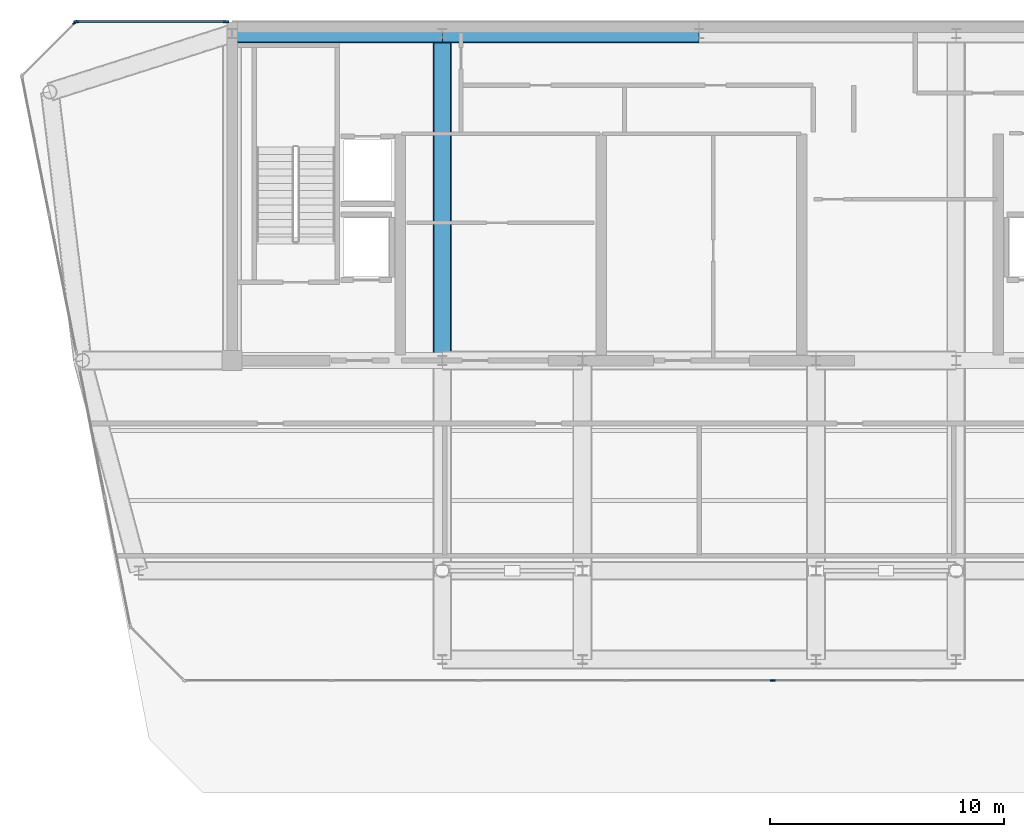
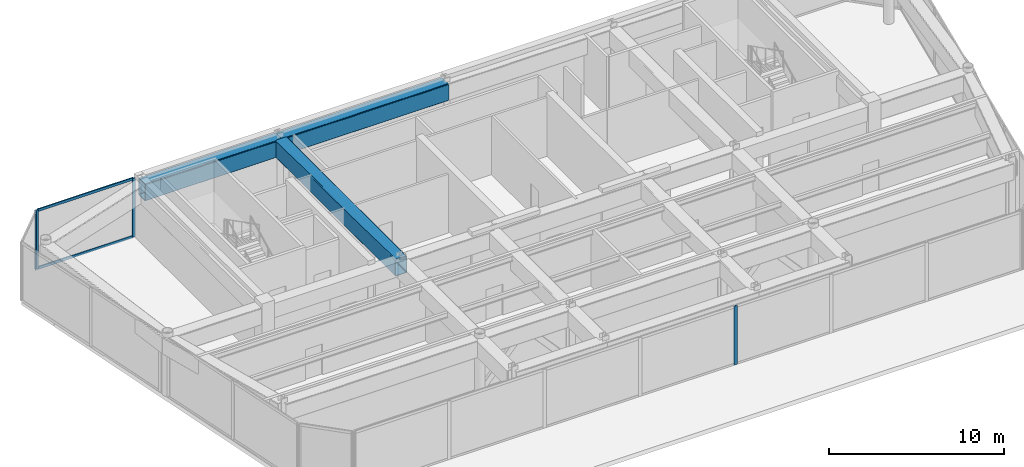
# One storey, part 4 of 12: 6 members, 3 beams, 3 elements without a shape of their own.
"""IFC4 building model written with IfcOpenShell, lengths in metres."""

import ifcopenshell
import ifcopenshell.guid

model = None  # the IFC model being written
_history = None  # IfcOwnerHistory: only IFC2X3 demands one
_inside = {}  # id of a spatial element -> (the spatial element, [elements in it])
_under = {}  # id of a project, library or spatial element -> (it, [spatial elements below it])
_declared = {}  # id of a project -> (the project, [libraries it declares])
_typed = {}  # id of a type object -> (the type object, [elements of that type])
_made_of = {}  # id of a material, layer set ... -> (it, [elements and type objects made of it])


def new_model(schema):
    """Start an empty IFC model of exactly this schema.

    Asked for "IFC4X3", IfcOpenShell would pick the latest addendum, in which some entities
    have other attributes; the version numbers below select the first issue.
    IFC2X3 requires an IfcOwnerHistory on every rooted entity: one is made here for all.
    """
    global model, _history
    if schema == "IFC4X3":
        model = ifcopenshell.file(schema_version=(4, 3, 0, 0))
    else:
        model = ifcopenshell.file(schema=schema)
    _inside.clear()
    _under.clear()
    _declared.clear()
    _typed.clear()
    _made_of.clear()
    _history = None
    if model.schema == "IFC2X3":
        org = make("IfcOrganization", Name="unknown")
        user = make(
            "IfcPersonAndOrganization",
            ThePerson=make("IfcPerson", FamilyName="unknown"),
            TheOrganization=org,
        )
        app = make(
            "IfcApplication",
            ApplicationDeveloper=org,
            Version="unknown",
            ApplicationFullName="unknown",
            ApplicationIdentifier="unknown",
        )
        _history = make(
            "IfcOwnerHistory",
            OwningUser=user,
            OwningApplication=app,
            ChangeAction="ADDED",
            CreationDate=0,
        )
    return model


def make(cls, **values):
    """One entity of the class cls with the attributes given. An attribute that is None is left unset."""
    return model.create_entity(
        cls, **{name: value for name, value in values.items() if value is not None}
    )


def rooted(cls, **values):
    """An entity with a GlobalId (a new one), such as an element, a storey or a relation."""
    return make(cls, GlobalId=ifcopenshell.guid.new(), OwnerHistory=_history, **values)


def si_unit(unit_type, name, prefix=None):
    """IfcSIUnit, for example si_unit("LENGTHUNIT", "METRE", prefix="MILLI")."""
    return make("IfcSIUnit", UnitType=unit_type, Prefix=prefix, Name=name)


def assignment(units):
    """IfcUnitAssignment: the units of a project."""
    return None if units is None else make("IfcUnitAssignment", Units=units)


def point(xyz):
    """IfcCartesianPoint."""
    return None if xyz is None else make("IfcCartesianPoint", Coordinates=xyz)


def direction(xyz):
    """IfcDirection."""
    return None if xyz is None else make("IfcDirection", DirectionRatios=xyz)


def frame(location, z_axis=None, x_axis=None):
    """IfcAxis2Placement3D, a coordinate frame: its origin and axes. An axis left out is left unset."""
    return make(
        "IfcAxis2Placement3D",
        Location=point(location),
        Axis=direction(z_axis),
        RefDirection=direction(x_axis),
    )


def frame_2d(location, x_axis=None):
    """IfcAxis2Placement2D, a coordinate frame in the plane: its origin and x axis."""
    return make(
        "IfcAxis2Placement2D", Location=point(location), RefDirection=direction(x_axis)
    )


def origin():
    """The frame at (0, 0, 0) with its axes left unset."""
    return frame((0.0, 0.0, 0.0))


def origin_2d():
    """The frame at (0, 0) in the plane with its x axis left unset."""
    return frame_2d((0.0, 0.0))


def place(relative_to, where):
    """IfcLocalPlacement: puts the frame where relative to a parent placement (None: the world)."""
    return make(
        "IfcLocalPlacement", PlacementRelTo=relative_to, RelativePlacement=where
    )


def context(
    kind, dimensions, precision=None, world=None, true_north=None, identifier=None
):
    """IfcGeometricRepresentationContext, for example the 3D "Model" context."""
    return make(
        "IfcGeometricRepresentationContext",
        ContextIdentifier=identifier,
        ContextType=kind,
        CoordinateSpaceDimension=dimensions,
        Precision=precision,
        WorldCoordinateSystem=world,
        TrueNorth=true_north,
    )


def subcontext(parent, identifier, kind, view, scale=None):
    """IfcGeometricRepresentationSubContext, for example "Body" below "Model"."""
    return make(
        "IfcGeometricRepresentationSubContext",
        ContextIdentifier=identifier,
        ContextType=kind,
        ParentContext=parent,
        TargetScale=scale,
        TargetView=view,
    )


def project(units=None, contexts=None):
    """IfcProject with its units and contexts."""
    return rooted(
        "IfcProject",
        Name="project",
        RepresentationContexts=contexts,
        UnitsInContext=assignment(units),
    )


def spatial(cls, under=None, at=None, **own):
    """A site, building, storey or space (cls), placed at a placement, below another one or the project."""
    s = rooted(cls, ObjectPlacement=at, **own)
    if under is not None:
        _under.setdefault(under.id(), (under, []))[1].append(s)
    return s


def profile(cls, at=None, kind="AREA", **sizes):
    """A parametric profile (cls). Its sizes go by their IFC names, for example OverallWidth=200.0."""
    return make(cls, ProfileType=kind, Position=at, **sizes)


def rectangle(**sizes):
    """IfcRectangleProfileDef."""
    return profile("IfcRectangleProfileDef", **sizes)


def hollow_rectangle(**sizes):
    """IfcRectangleHollowProfileDef."""
    return profile("IfcRectangleHollowProfileDef", **sizes)


def extrude(swept, where, along, depth):
    """IfcExtrudedAreaSolid: the profile swept, set in the frame where, extruded along a direction by depth."""
    return make(
        "IfcExtrudedAreaSolid",
        SweptArea=swept,
        Position=where,
        ExtrudedDirection=direction(along),
        Depth=depth,
    )


def shape(context_of_items, identifier, shape_type, items):
    """IfcShapeRepresentation: the items that make up one representation, for example the "Body"."""
    return make(
        "IfcShapeRepresentation",
        ContextOfItems=context_of_items,
        RepresentationIdentifier=identifier,
        RepresentationType=shape_type,
        Items=items,
    )


def source(mapping_origin, context_of_items, identifier, shape_type, items):
    """IfcRepresentationMap: a shape defined once, which mapped items show again and again."""
    return make(
        "IfcRepresentationMap",
        MappingOrigin=mapping_origin,
        MappedRepresentation=shape(context_of_items, identifier, shape_type, items),
    )


def transform(
    local_origin,
    x_axis=None,
    y_axis=None,
    z_axis=None,
    scale=None,
    scale2=None,
    scale3=None,
    uniform=True,
):
    """IfcCartesianTransformationOperator3D, or its non-uniform kind. x_axis, y_axis, z_axis: its Axis1, 2, 3."""
    if uniform:
        return make(
            "IfcCartesianTransformationOperator3D",
            Axis1=direction(x_axis),
            Axis2=direction(y_axis),
            LocalOrigin=point(local_origin),
            Scale=scale,
            Axis3=direction(z_axis),
        )
    return make(
        "IfcCartesianTransformationOperator3DnonUniform",
        Axis1=direction(x_axis),
        Axis2=direction(y_axis),
        LocalOrigin=point(local_origin),
        Scale=scale,
        Axis3=direction(z_axis),
        Scale2=scale2,
        Scale3=scale3,
    )


def mapped(mapping_source, mapping_target):
    """IfcMappedItem: shows the shape of a source again, moved by a transform."""
    return make(
        "IfcMappedItem", MappingSource=mapping_source, MappingTarget=mapping_target
    )


def material(Name=None, Category=None):
    """IfcMaterial."""
    return make("IfcMaterial", Name=Name, Category=Category)


def layer(
    of_material, thickness, ventilated=None, Name=None, Category=None, Priority=None
):
    """IfcMaterialLayer: one layer of a wall or slab, of a material (None: an air gap)."""
    return make(
        "IfcMaterialLayer",
        Material=of_material,
        LayerThickness=thickness,
        IsVentilated=ventilated,
        Name=Name,
        Category=Category,
        Priority=Priority,
    )


def layer_set(layers, Name=None):
    """IfcMaterialLayerSet."""
    return make("IfcMaterialLayerSet", MaterialLayers=layers, LayerSetName=Name)


def material_profile(
    of_material, cross_section, Name=None, Category=None, Priority=None
):
    """IfcMaterialProfile: a cross section and its material."""
    return make(
        "IfcMaterialProfile",
        Name=Name,
        Material=of_material,
        Profile=cross_section,
        Priority=Priority,
        Category=Category,
    )


def profile_set(profiles, Name=None, composite=None):
    """IfcMaterialProfileSet."""
    return make(
        "IfcMaterialProfileSet",
        Name=Name,
        MaterialProfiles=profiles,
        CompositeProfile=composite,
    )


def made_of(thing, what):
    """Note that an element or type object is made of a material, layer set ...; save() writes the relation."""
    if what is not None:
        _made_of.setdefault(what.id(), (what, []))[1].append(thing)
    return thing


def type_object(cls, material=None, **own):
    """A type object (cls), such as IfcWallType, which elements share."""
    return made_of(rooted(cls, **own), material)


def element(
    cls,
    number,
    at=None,
    inside=None,
    cuts=None,
    type_object=None,
    material=None,
    context=None,
    identifier="Body",
    shape_type=None,
    held_by="IfcProductDefinitionShape",
    body=None,
    shapes=None,
    **own,
):
    """One element of the class cls, such as IfcWall. Its Tag is "e" and its number.

    at: its placement. inside: the storey or other place that contains it. cuts: it is an
    opening in that element (IfcRelVoidsElement). A single representation is given by context,
    identifier, shape_type and body (its items); several are given by shapes. held_by: the class
    of the entity that holds the representations. save() writes the other relations.
    """
    e = rooted(cls, Tag="e%d" % number, ObjectPlacement=at, **own)
    if body is not None:
        shapes = [shape(context, identifier, shape_type, body)]
    if shapes is not None:
        e.Representation = make(held_by, Representations=shapes)
    if inside is not None:
        _inside.setdefault(inside.id(), (inside, []))[1].append(e)
    if cuts is not None:
        rooted(
            "IfcRelVoidsElement", RelatingBuildingElement=cuts, RelatedOpeningElement=e
        )
    if type_object is not None:
        _typed.setdefault(type_object.id(), (type_object, []))[1].append(e)
    return made_of(e, material)


def aggregate(whole, parts):
    """IfcRelAggregates: a whole, such as a stair, and the parts it consists of."""
    return rooted("IfcRelAggregates", RelatingObject=whole, RelatedObjects=parts)


def save(model, path):
    """Write the relations noted so far, then the file.

    IfcRelAggregates (storeys below a building ...), IfcRelContainedInSpatialStructure (elements
    in a storey), IfcRelDefinesByType, IfcRelAssociatesMaterial and IfcRelDeclares: one each for
    every whole, place, type object, material and project.
    """
    for whole, parts in _under.values():
        aggregate(whole, parts)
    for where, things in _inside.values():
        rooted(
            "IfcRelContainedInSpatialStructure",
            RelatedElements=things,
            RelatingStructure=where,
        )
    for kind, things in _typed.values():
        rooted("IfcRelDefinesByType", RelatedObjects=things, RelatingType=kind)
    for what, things in _made_of.values():
        rooted("IfcRelAssociatesMaterial", RelatedObjects=things, RelatingMaterial=what)
    for by, libraries in _declared.values():
        rooted("IfcRelDeclares", RelatingContext=by, RelatedDefinitions=libraries)
    model.write(path)


model = new_model("IFC4")

# Units and contexts
model_context = context("Model", 3, precision=1e-05, world=origin(), true_north=direction((0.0, 1.0)))
body_context = subcontext(model_context, "Body", "Model", "MODEL_VIEW")
ifc_project = project(units=[si_unit("LENGTHUNIT", "METRE"), si_unit("AREAUNIT", "SQUARE_METRE"), si_unit("VOLUMEUNIT", "CUBIC_METRE"), si_unit("PLANEANGLEUNIT", "RADIAN"), si_unit("MASSUNIT", "GRAM", prefix="KILO")], contexts=[model_context])

# Site, building, storey
site_placement = place(None, origin())
site = spatial("IfcSite", under=ifc_project, at=site_placement, CompositionType="ELEMENT")
building_placement = place(site_placement, origin())
building = spatial("IfcBuilding", under=site, at=building_placement, Name="Vaeldorn Concourse Tower", CompositionType="ELEMENT")
storey_placement = place(building_placement, frame((0.0, 0.0, 308.39990234375)))
storey = spatial("IfcBuildingStorey", under=building, at=storey_placement, Name="L79", CompositionType="ELEMENT", Elevation=308.39990234375)

# Beams
ifc_material_1 = material(Name="Steel S460", Category="steel")
ifc_material_profile_1 = material_profile(ifc_material_1, hollow_rectangle(XDim=0.800048828125, YDim=1.199951171875, WallThickness=0.044921875, InnerFilletRadius=0.044921875, OuterFilletRadius=0.090087890625, at=origin_2d()), Name="RHS 1200x800x45")
ifc_profile_set_1 = profile_set([ifc_material_profile_1], Name="Steel S460")
beam_type = type_object("IfcBeamType", Name="BM-TG-RHS1200", PredefinedType="BEAM", material=ifc_profile_set_1)
shared_shape_1 = source(origin(), body_context, "Body", "SweptSolid", [
    extrude(hollow_rectangle(XDim=0.800048828125, YDim=1.199951171875, WallThickness=0.044921875, InnerFilletRadius=0.044921875, OuterFilletRadius=0.090087890625, at=origin_2d()), origin(), (0.0, 0.0, 1.0), 9.0),
])
beam_1_placement = place(storey_placement, frame((14.0, 50.5, 3.5), z_axis=(1.0, 0.0, 0.0), x_axis=(0.0, 1.0, 0.0)))
element("IfcBeam", 1, at=beam_1_placement, inside=storey, type_object=beam_type, Name="Beam BM-L79-C-HC1-C-HC2", PredefinedType="BEAM", context=body_context, shape_type="MappedRepresentation", body=[
    mapped(shared_shape_1, transform((0.0, 0.0, 0.0), scale=1.0)),
])
shared_shape_2 = source(origin(), body_context, "Body", "SweptSolid", [
    extrude(hollow_rectangle(XDim=0.800048828125, YDim=1.199951171875, WallThickness=0.044921875, InnerFilletRadius=0.044921875, OuterFilletRadius=0.090087890625, at=origin_2d()), origin(), (0.0, 0.0, 1.0), 11.0),
])
beam_2_placement = place(storey_placement, frame((23.0, 50.5, 3.5), z_axis=(1.0, 0.0, 0.0), x_axis=(0.0, 1.0, 0.0)))
element("IfcBeam", 2, at=beam_2_placement, inside=storey, type_object=beam_type, Name="Beam BM-L79-C-HC2-C-HC3", PredefinedType="BEAM", context=body_context, shape_type="MappedRepresentation", body=[
    mapped(shared_shape_2, transform((0.0, 0.0, 0.0), scale=1.0)),
])
shared_shape_3 = source(origin(), body_context, "Body", "SweptSolid", [
    extrude(hollow_rectangle(XDim=0.800048828125, YDim=1.199951171875, WallThickness=0.044921875, InnerFilletRadius=0.044921875, OuterFilletRadius=0.090087890625, at=origin_2d()), origin(), (0.0, 0.0, 1.0), 14.0),
])
beam_3_placement = place(storey_placement, frame((23.0, 36.5, 3.5), z_axis=(0.0, 1.0, 0.0), x_axis=(-1.0, 0.0, 0.0)))
element("IfcBeam", 3, at=beam_3_placement, inside=storey, type_object=beam_type, Name="Beam BM-L79-C-FC2-C-HC2", PredefinedType="BEAM", context=body_context, shape_type="MappedRepresentation", body=[
    mapped(shared_shape_3, transform((0.0, 0.0, 0.0), scale=1.0)),
])

# Curtain wall, members
ifc_material_2 = material(Name="Anodised Bronze Aluminium", Category="aluminium")
ifc_layer = layer(ifc_material_2, 0.22998046875)
ifc_layer_set = layer_set([ifc_layer], Name="Anodised Bronze Aluminium")
curtain_wall_type = type_object("IfcCurtainWallType", Name="CW-SYS-07", PredefinedType="NOTDEFINED", material=ifc_layer_set)
curtain_wall_1_placement = place(storey_placement, origin())
curtain_wall_1 = element("IfcCurtainWall", 4, at=curtain_wall_1_placement, inside=storey, type_object=curtain_wall_type, Name="Unitised Curtain Wall CW-L79-E05-2", PredefinedType="NOTDEFINED")
ifc_material_profile_2 = material_profile(ifc_material_2, rectangle(XDim=0.074951171875, YDim=0.179931640625, at=origin_2d()), Name="CWT 75x180")
ifc_profile_set_2 = profile_set([ifc_material_profile_2], Name="Anodised Bronze Aluminium")
member_type_1 = type_object("IfcMemberType", Name="CWT-BRONZE-180", PredefinedType="USERDEFINED", material=ifc_profile_set_2)
shared_shape_4 = source(origin(), body_context, "Body", "SweptSolid", [
    extrude(rectangle(XDim=0.074951171875, YDim=0.179931640625, at=origin_2d()), origin(), (0.0, 0.0, 1.0), 6.330078125),
])
member_1_placement = place(storey_placement, frame((13.705078125, 51.0, 0.03759765625), z_axis=(-1.0, 0.0, 0.0), x_axis=(0.0, -1.0, 0.0)))
member_1 = element("IfcMember", 5, at=member_1_placement, type_object=member_type_1, Name="CW-07 transom 1.1", ObjectType="TRANSOM", PredefinedType="USERDEFINED", context=body_context, shape_type="MappedRepresentation", body=[
    mapped(shared_shape_4, transform((0.0, 0.0, 0.0), scale=1.0)),
])
member_2_placement = place(storey_placement, frame((13.705078125, 51.0, 4.0625), z_axis=(-1.0, 0.0, 0.0), x_axis=(0.0, -1.0, 0.0)))
member_2 = element("IfcMember", 6, at=member_2_placement, type_object=member_type_1, Name="CW-07 transom 1.2", ObjectType="TRANSOM", PredefinedType="USERDEFINED", context=body_context, shape_type="MappedRepresentation", body=[
    mapped(shared_shape_4, transform((0.0, 0.0, 0.0), scale=1.0)),
])

# Curtain wall, member
curtain_wall_2_placement = place(storey_placement, origin())
curtain_wall_2 = element("IfcCurtainWall", 7, at=curtain_wall_2_placement, inside=storey, type_object=curtain_wall_type, Name="Unitised Curtain Wall CW-L79-E01-1", PredefinedType="NOTDEFINED")
ifc_material_profile_3 = material_profile(ifc_material_2, rectangle(XDim=0.074951171875, YDim=0.219970703125, at=origin_2d()), Name="CWM 75x220")
ifc_profile_set_3 = profile_set([ifc_material_profile_3], Name="Anodised Bronze Aluminium")
member_type_2 = type_object("IfcMemberType", Name="CWM-BRONZE-220", PredefinedType="MULLION", material=ifc_profile_set_3)
shared_shape_5 = source(origin(), body_context, "Body", "SweptSolid", [
    extrude(rectangle(XDim=0.074951171875, YDim=0.219970703125, at=origin_2d()), origin(), (0.0, 0.0, 1.0), 4.10009765625),
])
member_3_placement = place(storey_placement, frame((37.149658203125, 22.800048828125, 0.0), z_axis=(0.0, 0.0, 1.0), x_axis=(0.0, 1.0, 0.0)))
member_3 = element("IfcMember", 8, at=member_3_placement, type_object=member_type_2, Name="CW-07 mullion 5", PredefinedType="MULLION", context=body_context, shape_type="MappedRepresentation", body=[
    mapped(shared_shape_5, transform((0.0, 0.0, 0.0), scale=1.0)),
])
aggregate(curtain_wall_2, [member_3])

# Member
member_4_placement = place(storey_placement, frame((13.742431640625, 51.0, 0.0), z_axis=(0.0, 0.0, 1.0), x_axis=(0.0, -1.0, 0.0)))
member_4 = element("IfcMember", 9, at=member_4_placement, type_object=member_type_2, Name="CW-07 mullion 1", PredefinedType="MULLION", context=body_context, shape_type="MappedRepresentation", body=[
    mapped(shared_shape_5, transform((0.0, 0.0, 0.0), scale=1.0)),
])

member_5_placement = place(storey_placement, frame((7.33740234375, 51.0, 0.0), z_axis=(0.0, 0.0, 1.0), x_axis=(0.0, -1.0, 0.0)))
member_5 = element("IfcMember", 10, at=member_5_placement, type_object=member_type_2, Name="CW-07 mullion 2", PredefinedType="MULLION", context=body_context, shape_type="MappedRepresentation", body=[
    mapped(shared_shape_5, transform((0.0, 0.0, 0.0), scale=1.0)),
])

aggregate(curtain_wall_1, [member_4, member_5, member_1, member_2])

# Curtain wall, member
curtain_wall_3_placement = place(storey_placement, origin())
curtain_wall_3 = element("IfcCurtainWall", 11, at=curtain_wall_3_placement, inside=storey, type_object=curtain_wall_type, Name="Unitised Curtain Wall CW-L79-E06-1", PredefinedType="NOTDEFINED")
member_6_placement = place(storey_placement, frame((7.2734375, 50.973388671875, 0.0), z_axis=(0.0, 0.0, 1.0), x_axis=(0.707106781187, -0.707106781187, 0.0)))
member_6 = element("IfcMember", 12, at=member_6_placement, type_object=member_type_2, Name="CW-07 mullion 1", PredefinedType="MULLION", context=body_context, shape_type="MappedRepresentation", body=[
    mapped(shared_shape_5, transform((0.0, 0.0, 0.0), scale=1.0)),
])
aggregate(curtain_wall_3, [member_6])

save(model, "model.ifc")
